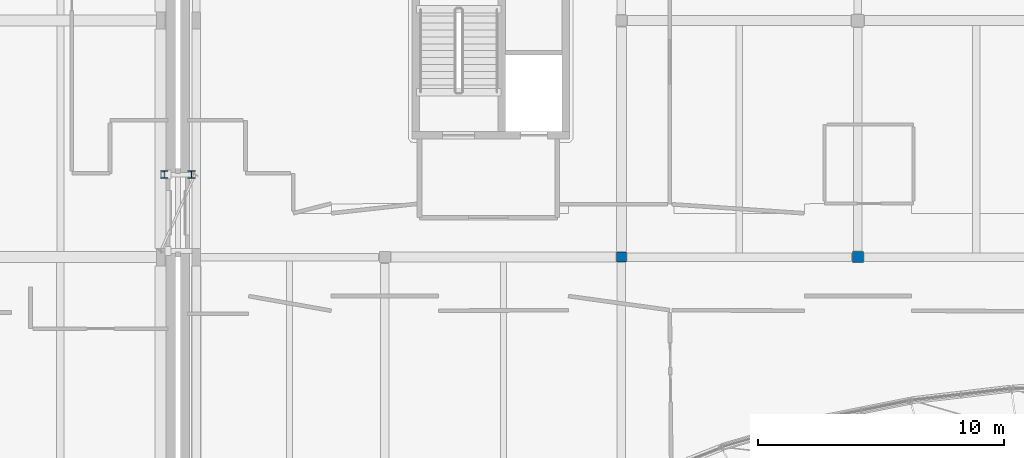
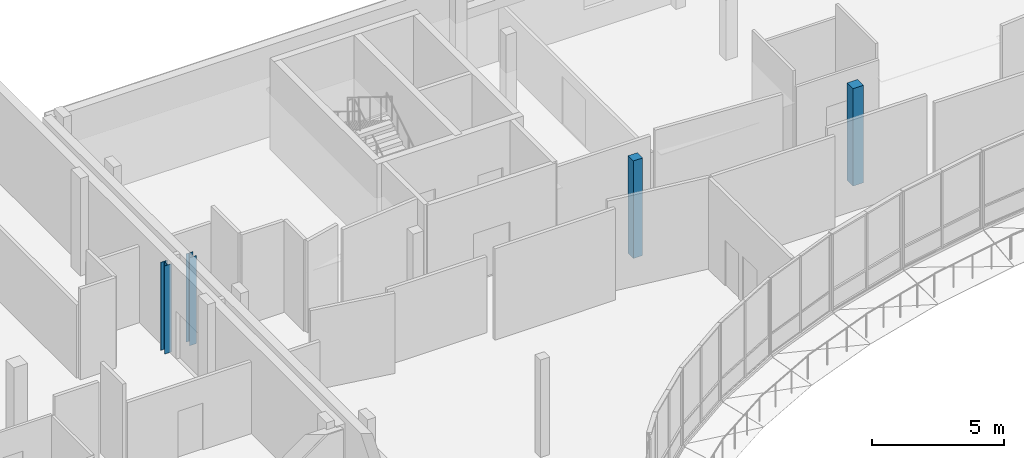
# One storey, part 3 of 41: 4 columns.
"""IFC4 building model written with IfcOpenShell, lengths in metres."""

import ifcopenshell
import ifcopenshell.guid

model = None  # the IFC model being written
_history = None  # IfcOwnerHistory: only IFC2X3 demands one
_inside = {}  # id of a spatial element -> (the spatial element, [elements in it])
_under = {}  # id of a project, library or spatial element -> (it, [spatial elements below it])
_declared = {}  # id of a project -> (the project, [libraries it declares])
_typed = {}  # id of a type object -> (the type object, [elements of that type])
_made_of = {}  # id of a material, layer set ... -> (it, [elements and type objects made of it])


def new_model(schema):
    """Start an empty IFC model of exactly this schema.

    Asked for "IFC4X3", IfcOpenShell would pick the latest addendum, in which some entities
    have other attributes; the version numbers below select the first issue.
    IFC2X3 requires an IfcOwnerHistory on every rooted entity: one is made here for all.
    """
    global model, _history
    if schema == "IFC4X3":
        model = ifcopenshell.file(schema_version=(4, 3, 0, 0))
    else:
        model = ifcopenshell.file(schema=schema)
    _inside.clear()
    _under.clear()
    _declared.clear()
    _typed.clear()
    _made_of.clear()
    _history = None
    if model.schema == "IFC2X3":
        org = make("IfcOrganization", Name="unknown")
        user = make(
            "IfcPersonAndOrganization",
            ThePerson=make("IfcPerson", FamilyName="unknown"),
            TheOrganization=org,
        )
        app = make(
            "IfcApplication",
            ApplicationDeveloper=org,
            Version="unknown",
            ApplicationFullName="unknown",
            ApplicationIdentifier="unknown",
        )
        _history = make(
            "IfcOwnerHistory",
            OwningUser=user,
            OwningApplication=app,
            ChangeAction="ADDED",
            CreationDate=0,
        )
    return model


def make(cls, **values):
    """One entity of the class cls with the attributes given. An attribute that is None is left unset."""
    return model.create_entity(
        cls, **{name: value for name, value in values.items() if value is not None}
    )


def rooted(cls, **values):
    """An entity with a GlobalId (a new one), such as an element, a storey or a relation."""
    return make(cls, GlobalId=ifcopenshell.guid.new(), OwnerHistory=_history, **values)


def si_unit(unit_type, name, prefix=None):
    """IfcSIUnit, for example si_unit("LENGTHUNIT", "METRE", prefix="MILLI")."""
    return make("IfcSIUnit", UnitType=unit_type, Prefix=prefix, Name=name)


def assignment(units):
    """IfcUnitAssignment: the units of a project."""
    return None if units is None else make("IfcUnitAssignment", Units=units)


def point(xyz):
    """IfcCartesianPoint."""
    return None if xyz is None else make("IfcCartesianPoint", Coordinates=xyz)


def direction(xyz):
    """IfcDirection."""
    return None if xyz is None else make("IfcDirection", DirectionRatios=xyz)


def frame(location, z_axis=None, x_axis=None):
    """IfcAxis2Placement3D, a coordinate frame: its origin and axes. An axis left out is left unset."""
    return make(
        "IfcAxis2Placement3D",
        Location=point(location),
        Axis=direction(z_axis),
        RefDirection=direction(x_axis),
    )


def frame_2d(location, x_axis=None):
    """IfcAxis2Placement2D, a coordinate frame in the plane: its origin and x axis."""
    return make(
        "IfcAxis2Placement2D", Location=point(location), RefDirection=direction(x_axis)
    )


def origin():
    """The frame at (0, 0, 0) with its axes left unset."""
    return frame((0.0, 0.0, 0.0))


def origin_2d():
    """The frame at (0, 0) in the plane with its x axis left unset."""
    return frame_2d((0.0, 0.0))


def place(relative_to, where):
    """IfcLocalPlacement: puts the frame where relative to a parent placement (None: the world)."""
    return make(
        "IfcLocalPlacement", PlacementRelTo=relative_to, RelativePlacement=where
    )


def context(
    kind, dimensions, precision=None, world=None, true_north=None, identifier=None
):
    """IfcGeometricRepresentationContext, for example the 3D "Model" context."""
    return make(
        "IfcGeometricRepresentationContext",
        ContextIdentifier=identifier,
        ContextType=kind,
        CoordinateSpaceDimension=dimensions,
        Precision=precision,
        WorldCoordinateSystem=world,
        TrueNorth=true_north,
    )


def subcontext(parent, identifier, kind, view, scale=None):
    """IfcGeometricRepresentationSubContext, for example "Body" below "Model"."""
    return make(
        "IfcGeometricRepresentationSubContext",
        ContextIdentifier=identifier,
        ContextType=kind,
        ParentContext=parent,
        TargetScale=scale,
        TargetView=view,
    )


def project(units=None, contexts=None):
    """IfcProject with its units and contexts."""
    return rooted(
        "IfcProject",
        Name="project",
        RepresentationContexts=contexts,
        UnitsInContext=assignment(units),
    )


def spatial(cls, under=None, at=None, **own):
    """A site, building, storey or space (cls), placed at a placement, below another one or the project."""
    s = rooted(cls, ObjectPlacement=at, **own)
    if under is not None:
        _under.setdefault(under.id(), (under, []))[1].append(s)
    return s


def profile(cls, at=None, kind="AREA", **sizes):
    """A parametric profile (cls). Its sizes go by their IFC names, for example OverallWidth=200.0."""
    return make(cls, ProfileType=kind, Position=at, **sizes)


def rectangle(**sizes):
    """IfcRectangleProfileDef."""
    return profile("IfcRectangleProfileDef", **sizes)


def i_section(**sizes):
    """IfcIShapeProfileDef."""
    return profile("IfcIShapeProfileDef", **sizes)


def extrude(swept, where, along, depth):
    """IfcExtrudedAreaSolid: the profile swept, set in the frame where, extruded along a direction by depth."""
    return make(
        "IfcExtrudedAreaSolid",
        SweptArea=swept,
        Position=where,
        ExtrudedDirection=direction(along),
        Depth=depth,
    )


def shape(context_of_items, identifier, shape_type, items):
    """IfcShapeRepresentation: the items that make up one representation, for example the "Body"."""
    return make(
        "IfcShapeRepresentation",
        ContextOfItems=context_of_items,
        RepresentationIdentifier=identifier,
        RepresentationType=shape_type,
        Items=items,
    )


def material(Name=None, Category=None):
    """IfcMaterial."""
    return make("IfcMaterial", Name=Name, Category=Category)


def material_profile(
    of_material, cross_section, Name=None, Category=None, Priority=None
):
    """IfcMaterialProfile: a cross section and its material."""
    return make(
        "IfcMaterialProfile",
        Name=Name,
        Material=of_material,
        Profile=cross_section,
        Priority=Priority,
        Category=Category,
    )


def profile_set(profiles, Name=None, composite=None):
    """IfcMaterialProfileSet."""
    return make(
        "IfcMaterialProfileSet",
        Name=Name,
        MaterialProfiles=profiles,
        CompositeProfile=composite,
    )


def made_of(thing, what):
    """Note that an element or type object is made of a material, layer set ...; save() writes the relation."""
    if what is not None:
        _made_of.setdefault(what.id(), (what, []))[1].append(thing)
    return thing


def type_object(cls, material=None, **own):
    """A type object (cls), such as IfcWallType, which elements share."""
    return made_of(rooted(cls, **own), material)


def element(
    cls,
    number,
    at=None,
    inside=None,
    cuts=None,
    type_object=None,
    material=None,
    context=None,
    identifier="Body",
    shape_type=None,
    held_by="IfcProductDefinitionShape",
    body=None,
    shapes=None,
    **own,
):
    """One element of the class cls, such as IfcWall. Its Tag is "e" and its number.

    at: its placement. inside: the storey or other place that contains it. cuts: it is an
    opening in that element (IfcRelVoidsElement). A single representation is given by context,
    identifier, shape_type and body (its items); several are given by shapes. held_by: the class
    of the entity that holds the representations. save() writes the other relations.
    """
    e = rooted(cls, Tag="e%d" % number, ObjectPlacement=at, **own)
    if body is not None:
        shapes = [shape(context, identifier, shape_type, body)]
    if shapes is not None:
        e.Representation = make(held_by, Representations=shapes)
    if inside is not None:
        _inside.setdefault(inside.id(), (inside, []))[1].append(e)
    if cuts is not None:
        rooted(
            "IfcRelVoidsElement", RelatingBuildingElement=cuts, RelatedOpeningElement=e
        )
    if type_object is not None:
        _typed.setdefault(type_object.id(), (type_object, []))[1].append(e)
    return made_of(e, material)


def aggregate(whole, parts):
    """IfcRelAggregates: a whole, such as a stair, and the parts it consists of."""
    return rooted("IfcRelAggregates", RelatingObject=whole, RelatedObjects=parts)


def save(model, path):
    """Write the relations noted so far, then the file.

    IfcRelAggregates (storeys below a building ...), IfcRelContainedInSpatialStructure (elements
    in a storey), IfcRelDefinesByType, IfcRelAssociatesMaterial and IfcRelDeclares: one each for
    every whole, place, type object, material and project.
    """
    for whole, parts in _under.values():
        aggregate(whole, parts)
    for where, things in _inside.values():
        rooted(
            "IfcRelContainedInSpatialStructure",
            RelatedElements=things,
            RelatingStructure=where,
        )
    for kind, things in _typed.values():
        rooted("IfcRelDefinesByType", RelatedObjects=things, RelatingType=kind)
    for what, things in _made_of.values():
        rooted("IfcRelAssociatesMaterial", RelatedObjects=things, RelatingMaterial=what)
    for by, libraries in _declared.values():
        rooted("IfcRelDeclares", RelatingContext=by, RelatedDefinitions=libraries)
    model.write(path)


model = new_model("IFC4")

# Units and contexts
model_context = context("Model", 3, precision=1e-05, world=origin(), true_north=direction((0.0, 1.0)))
body_context = subcontext(model_context, "Body", "Model", "MODEL_VIEW")
ifc_project = project(units=[si_unit("LENGTHUNIT", "METRE"), si_unit("AREAUNIT", "SQUARE_METRE"), si_unit("VOLUMEUNIT", "CUBIC_METRE"), si_unit("PLANEANGLEUNIT", "RADIAN"), si_unit("MASSUNIT", "GRAM", prefix="KILO")], contexts=[model_context])

# Site, building, storey
site_placement = place(None, origin())
site = spatial("IfcSite", under=ifc_project, at=site_placement, CompositionType="ELEMENT")
building_placement = place(site_placement, origin())
building = spatial("IfcBuilding", under=site, at=building_placement, Name="Mzevani Central Library", CompositionType="ELEMENT")
storey_placement = place(building_placement, frame((0.0, 0.0, 13.800048828125)))
storey = spatial("IfcBuildingStorey", under=building, at=storey_placement, Name="L03", CompositionType="ELEMENT", Elevation=13.800048828125)

# Columns
ifc_material_1 = material(Name="Steel S355J2", Category="steel")
ifc_material_profile_1 = material_profile(ifc_material_1, i_section(OverallWidth=0.300048828125, OverallDepth=0.300048828125, WebThickness=0.010986328125, FlangeThickness=0.01904296875, FilletRadius=0.027099609375, at=origin_2d()), Name="HEB 300")
ifc_profile_set_1 = profile_set([ifc_material_profile_1], Name="Steel S355J2")
column_type_1 = type_object("IfcColumnType", Name="Atrium Steel Column HEB 300", PredefinedType="COLUMN", material=ifc_profile_set_1)
for number, where, z_axis, x_axis, name in (
    (1, (45.449951171875, 103.35009765625, 0.0), (0.0, 0.0, 1.0), (1.0, 0.0, 0.0), "L03 Seismic Joint Corbel Column 4"),
    (2, (46.550048828125, 103.35009765625, 0.0), (0.0, 0.0, 1.0), (1.0, 0.0, 0.0), "L03 Seismic Joint Corbel Column 6"),
):
    element("IfcColumn", number, at=place(storey_placement, frame(where, z_axis=z_axis, x_axis=x_axis)), inside=storey, type_object=column_type_1, Name=name, PredefinedType="COLUMN", context=body_context, shape_type="SweptSolid", body=[
        extrude(i_section(OverallWidth=0.300048828125, OverallDepth=0.300048828125, WebThickness=0.010986328125, FlangeThickness=0.01904296875, FilletRadius=0.027099609375, at=origin_2d()), origin(), (0.0, 0.0, 1.0), 4.06494140625),
    ])
ifc_material_2 = material(Name="Concrete C40/50", Category="concrete")
ifc_material_profile_2 = material_profile(ifc_material_2, rectangle(XDim=0.39990234375, YDim=0.39990234375, at=origin_2d()), Name="RC 400x400")
ifc_profile_set_2 = profile_set([ifc_material_profile_2], Name="Concrete C40/50")
column_type_2 = type_object("IfcColumnType", Name="Column RC 400x400", PredefinedType="COLUMN", material=ifc_profile_set_2)
column_1_placement = place(storey_placement, frame((64.0, 100.0, 0.0), z_axis=(0.0, 0.0, 1.0), x_axis=(1.0, 0.0, 0.0)))
element("IfcColumn", 3, at=column_1_placement, inside=storey, type_object=column_type_2, Name="L03 V3 Column C-02 (111)", PredefinedType="COLUMN", context=body_context, shape_type="SweptSolid", body=[
    extrude(rectangle(XDim=0.39990234375, YDim=0.39990234375, at=origin_2d()), origin(), (0.0, 0.0, 1.0), 4.5),
])
ifc_material_profile_3 = material_profile(ifc_material_2, rectangle(XDim=0.449951171875, YDim=0.449951171875, at=origin_2d()), Name="RC 450x450")
ifc_profile_set_3 = profile_set([ifc_material_profile_3], Name="Concrete C40/50")
column_type_3 = type_object("IfcColumnType", Name="Column RC 450x450", PredefinedType="COLUMN", material=ifc_profile_set_3)
column_2_placement = place(storey_placement, frame((73.60009765625, 100.0, 0.0), z_axis=(0.0, 0.0, 1.0), x_axis=(1.0, 0.0, 0.0)))
element("IfcColumn", 4, at=column_2_placement, inside=storey, type_object=column_type_3, Name="L03 V3 Column C-03 (115)", PredefinedType="COLUMN", context=body_context, shape_type="SweptSolid", body=[
    extrude(rectangle(XDim=0.449951171875, YDim=0.449951171875, at=origin_2d()), origin(), (0.0, 0.0, 1.0), 4.5),
])

save(model, "model.ifc")
